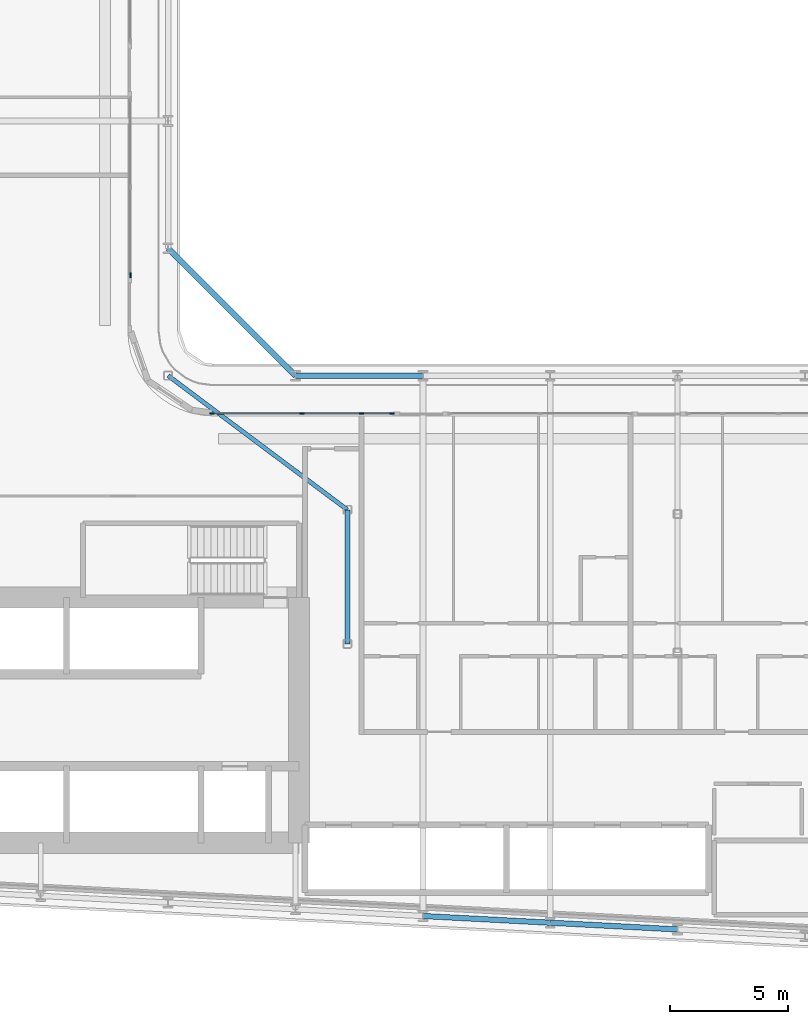
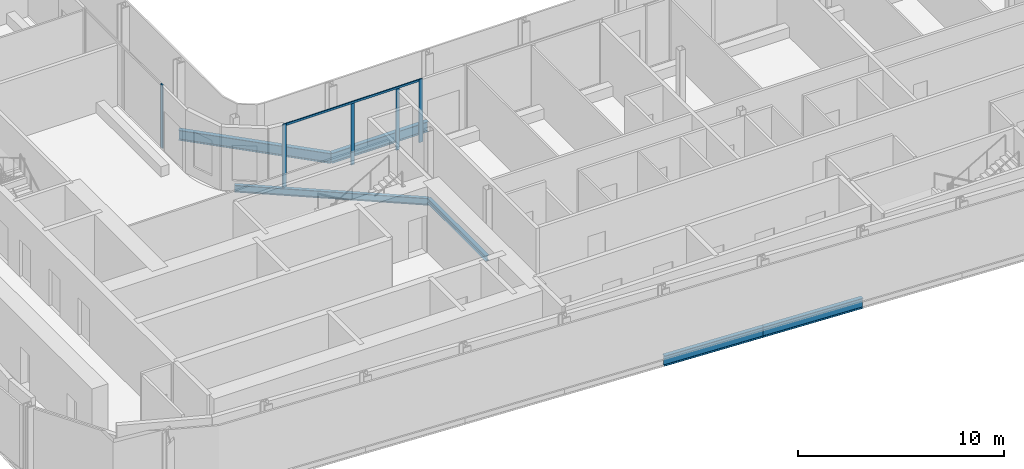
# One storey, part 4 of 28: 6 beams, 6 members, 2 elements without a shape of their own.
"""IFC4 building model written with IfcOpenShell, lengths in metres."""

from ifc_helpers import new_model, si_unit, direction, frame, origin, origin_2d, place, context, subcontext, project, spatial, rectangle, i_section, extrude, material, layer, layer_set, material_profile, profile_set, type_object, element, aggregate, save


model = new_model("IFC4")

# Units and contexts
model_context = context("Model", 3, precision=1e-05, world=origin(), true_north=direction((0.0, 1.0)))
body_context = subcontext(model_context, "Body", "Model", "MODEL_VIEW")
ifc_project = project(units=[si_unit("LENGTHUNIT", "METRE"), si_unit("AREAUNIT", "SQUARE_METRE"), si_unit("VOLUMEUNIT", "CUBIC_METRE"), si_unit("PLANEANGLEUNIT", "RADIAN"), si_unit("MASSUNIT", "GRAM", prefix="KILO")], contexts=[model_context])

# Site, building, storey
site_placement = place(None, origin())
site = spatial("IfcSite", under=ifc_project, at=site_placement, CompositionType="ELEMENT")
building_placement = place(site_placement, origin())
building = spatial("IfcBuilding", under=site, at=building_placement, Name="Kheshtan School and Residences Tower", CompositionType="ELEMENT")
storey_placement = place(building_placement, frame((0.0, 0.0, 94.10009765625)))
storey = spatial("IfcBuildingStorey", under=building, at=storey_placement, Name="L21", CompositionType="ELEMENT", Elevation=94.10009765625)

# Beams
ifc_material_1 = material(Name="Steel ASTM A992 Grade 50", Category="steel")
ifc_material_profile_1 = material_profile(ifc_material_1, i_section(OverallWidth=0.202880859375, OverallDepth=0.302978515625, WebThickness=0.007568359375, FlangeThickness=0.01318359375, FilletRadius=0.009033203125, at=origin_2d()), Name="W310x60")
ifc_profile_set_1 = profile_set([ifc_material_profile_1], Name="Steel ASTM A992 Grade 50")
beam_type_1 = type_object("IfcBeamType", Name="Beam FB1 W310x60 ASTM A992 Grade 50", PredefinedType="BEAM", material=ifc_profile_set_1)
beam_1_placement = place(storey_placement, frame((55.199951171875, 34.23193359375, -0.301513671875), z_axis=(0.0, 1.0, 0.0), x_axis=(-1.0, 0.0, 0.0)))
element("IfcBeam", 1, at=beam_1_placement, inside=storey, type_object=beam_type_1, Name="Floor beam IC", PredefinedType="BEAM", context=body_context, shape_type="SweptSolid", body=[
    extrude(i_section(OverallWidth=0.202880859375, OverallDepth=0.302978515625, WebThickness=0.007568359375, FlangeThickness=0.01318359375, FilletRadius=0.009033203125, at=origin_2d()), origin(), (0.0, 0.0, 1.0), 5.68408203125),
])
ifc_material_profile_2 = material_profile(ifc_material_1, i_section(OverallWidth=0.180908203125, OverallDepth=0.4169921875, WebThickness=0.010986328125, FlangeThickness=0.018310546875, FilletRadius=0.012451171875, at=origin_2d()), Name="W410x85")
ifc_profile_set_2 = profile_set([ifc_material_profile_2], Name="Steel ASTM A992 Grade 50")
beam_type_2 = type_object("IfcBeamType", Name="Beam FB3 W410x85 ASTM A992 Grade 50", PredefinedType="BEAM", material=ifc_profile_set_2)
beam_2_placement = place(storey_placement, frame((47.60009765625, 45.60009765625, -0.358642578125), z_axis=(0.800798828004, -0.598933416222, 0.0), x_axis=(0.598933416222, 0.800798828004, 0.0)))
element("IfcBeam", 2, at=beam_2_placement, inside=storey, type_object=beam_type_2, Name="Floor beam IC", PredefinedType="BEAM", context=body_context, shape_type="SweptSolid", body=[
    extrude(i_section(OverallWidth=0.180908203125, OverallDepth=0.4169921875, WebThickness=0.010986328125, FlangeThickness=0.018310546875, FilletRadius=0.012451171875, at=origin_2d()), origin(), (0.0, 0.0, 1.0), 9.490234375),
])
ifc_material_profile_3 = material_profile(ifc_material_1, i_section(OverallWidth=0.22802734375, OverallDepth=0.60302734375, WebThickness=0.010498046875, FlangeThickness=0.014892578125, FilletRadius=0.013427734375, at=origin_2d()), Name="W610x101")
ifc_profile_set_3 = profile_set([ifc_material_profile_3], Name="Steel ASTM A992 Grade 50")
beam_type_3 = type_object("IfcBeamType", Name="Beam SP2 W610x101 ASTM A992 Grade 50", PredefinedType="BEAM", material=ifc_profile_set_3)
beam_3_placement = place(storey_placement, frame((47.60009765625, 51.0, -0.45166015625), z_axis=(0.707106781187, -0.707106781187, 0.0), x_axis=(0.707106781187, 0.707106781187, 0.0)))
element("IfcBeam", 3, at=beam_3_placement, inside=storey, type_object=beam_type_3, Name="Spandrel beam C079-C061", PredefinedType="BEAM", context=body_context, shape_type="SweptSolid", body=[
    extrude(i_section(OverallWidth=0.22802734375, OverallDepth=0.60302734375, WebThickness=0.010498046875, FlangeThickness=0.014892578125, FilletRadius=0.013427734375, at=origin_2d()), origin(), (0.0, 0.0, 1.0), 7.63671875),
])
beam_4_placement = place(storey_placement, frame((53.0, 45.60009765625, -0.45166015625), z_axis=(1.0, 0.0, 0.0), x_axis=(0.0, 1.0, 0.0)))
element("IfcBeam", 4, at=beam_4_placement, inside=storey, type_object=beam_type_3, Name="Spandrel beam C061-C062", PredefinedType="BEAM", context=body_context, shape_type="SweptSolid", body=[
    extrude(i_section(OverallWidth=0.22802734375, OverallDepth=0.60302734375, WebThickness=0.010498046875, FlangeThickness=0.014892578125, FilletRadius=0.013427734375, at=origin_2d()), origin(), (0.0, 0.0, 1.0), 5.39990234375),
])
beam_5_placement = place(storey_placement, frame((69.199951171875, 22.126953125, -0.45166015625), z_axis=(-0.998620447272, 0.05250906864, 0.0), x_axis=(-0.05250906864, -0.998620447272, 0.0)))
element("IfcBeam", 5, at=beam_5_placement, inside=storey, type_object=beam_type_3, Name="Spandrel beam C014-C016", PredefinedType="BEAM", context=body_context, shape_type="SweptSolid", body=[
    extrude(i_section(OverallWidth=0.22802734375, OverallDepth=0.60302734375, WebThickness=0.010498046875, FlangeThickness=0.014892578125, FilletRadius=0.013427734375, at=origin_2d()), origin(), (0.0, 0.0, 1.0), 5.407470703125),
])
beam_6_placement = place(storey_placement, frame((63.800048828125, 22.410888671875, -0.45166015625), z_axis=(-0.998618203458, 0.052551724256, 0.0), x_axis=(-0.052551724256, -0.998618203458, 0.0)))
element("IfcBeam", 6, at=beam_6_placement, inside=storey, type_object=beam_type_3, Name="Spandrel beam C016-C018", PredefinedType="BEAM", context=body_context, shape_type="SweptSolid", body=[
    extrude(i_section(OverallWidth=0.22802734375, OverallDepth=0.60302734375, WebThickness=0.010498046875, FlangeThickness=0.014892578125, FilletRadius=0.013427734375, at=origin_2d()), origin(), (0.0, 0.0, 1.0), 5.40771484375),
])

# Curtain wall, member
ifc_material_2 = material(Name="Clear low-e glass in thermally broken aluminium frame", Category="aluminium")
ifc_layer = layer(ifc_material_2, 0.199951171875)
ifc_layer_set = layer_set([ifc_layer], Name="Curtain wall CW-L")
curtain_wall_type = type_object("IfcCurtainWallType", Name="Curtain wall CW-L", PredefinedType="NOTDEFINED", material=ifc_layer_set)
curtain_wall_1_placement = place(storey_placement, origin())
curtain_wall_1 = element("IfcCurtainWall", 7, at=curtain_wall_1_placement, inside=storey, type_object=curtain_wall_type, Name="Curtain wall CWL4a", PredefinedType="NOTDEFINED")
ifc_material_3 = material(Name="Thermally broken aluminium, dark bronze anodised", Category="aluminium")
ifc_material_profile_4 = material_profile(ifc_material_3, rectangle(XDim=0.06005859375, YDim=0.199951171875, at=origin_2d()), Name="CW-L mullion 60x200")
ifc_profile_set_4 = profile_set([ifc_material_profile_4], Name="Thermally broken aluminium, dark bronze anodised")
member_type_1 = type_object("IfcMemberType", Name="CW-L mullion 60x200", PredefinedType="MULLION", material=ifc_profile_set_4)
member_1_placement = place(storey_placement, frame((46.0, 49.860107421875, 0.0), z_axis=(0.0, 0.0, 1.0), x_axis=(1.0, 0.0, 0.0)))
member_1 = element("IfcMember", 8, at=member_1_placement, type_object=member_type_1, Name="CWL4a mullion 3", PredefinedType="MULLION", context=body_context, shape_type="SweptSolid", body=[
    extrude(rectangle(XDim=0.06005859375, YDim=0.199951171875, at=origin_2d()), origin(), (0.0, 0.0, 1.0), 3.75),
])
aggregate(curtain_wall_1, [member_1])

# Curtain wall, members
curtain_wall_2_placement = place(storey_placement, origin())
curtain_wall_2 = element("IfcCurtainWall", 9, at=curtain_wall_2_placement, inside=storey, type_object=curtain_wall_type, Name="Curtain wall CWL8c", PredefinedType="NOTDEFINED")
member_2_placement = place(storey_placement, frame((49.4599609375, 44.0, 0.0), z_axis=(0.0, 0.0, 1.0), x_axis=(0.0, 1.0, 0.0)))
member_2 = element("IfcMember", 10, at=member_2_placement, type_object=member_type_1, Name="CWL8c mullion 1", PredefinedType="MULLION", context=body_context, shape_type="SweptSolid", body=[
    extrude(rectangle(XDim=0.06005859375, YDim=0.199951171875, at=origin_2d()), origin(), (0.0, 0.0, 1.0), 3.75),
])
member_3_placement = place(storey_placement, frame((53.277099609375, 44.0, 0.0), z_axis=(0.0, 0.0, 1.0), x_axis=(0.0, 1.0, 0.0)))
member_3 = element("IfcMember", 11, at=member_3_placement, type_object=member_type_1, Name="CWL8c mullion 2", PredefinedType="MULLION", context=body_context, shape_type="SweptSolid", body=[
    extrude(rectangle(XDim=0.06005859375, YDim=0.199951171875, at=origin_2d()), origin(), (0.0, 0.0, 1.0), 3.6298828125),
])
member_4_placement = place(storey_placement, frame((55.800048828125, 44.0, 0.0), z_axis=(0.0, 0.0, 1.0), x_axis=(0.0, 1.0, 0.0)))
member_4 = element("IfcMember", 12, at=member_4_placement, type_object=member_type_1, Name="CWL8c mullion 3", PredefinedType="MULLION", context=body_context, shape_type="SweptSolid", body=[
    extrude(rectangle(XDim=0.06005859375, YDim=0.199951171875, at=origin_2d()), origin(), (0.0, 0.0, 1.0), 3.6298828125),
])
member_5_placement = place(storey_placement, frame((57.093994140625, 44.0, 0.0), z_axis=(0.0, 0.0, 1.0), x_axis=(0.0, 1.0, 0.0)))
member_5 = element("IfcMember", 13, at=member_5_placement, type_object=member_type_1, Name="CWL8c mullion 4", PredefinedType="MULLION", context=body_context, shape_type="SweptSolid", body=[
    extrude(rectangle(XDim=0.06005859375, YDim=0.199951171875, at=origin_2d()), origin(), (0.0, 0.0, 1.0), 3.75),
])
ifc_material_profile_5 = material_profile(ifc_material_3, rectangle(XDim=0.06005859375, YDim=0.1201171875, at=origin_2d()), Name="CW-L transom 60x120")
ifc_profile_set_5 = profile_set([ifc_material_profile_5], Name="Thermally broken aluminium, dark bronze anodised")
member_type_2 = type_object("IfcMemberType", Name="CW-L transom 60x120", PredefinedType="USERDEFINED", material=ifc_profile_set_5)
member_6_placement = place(storey_placement, frame((49.489990234375, 44.0, 3.68994140625), z_axis=(1.0, 0.0, 0.0), x_axis=(0.0, 1.0, 0.0)))
member_6 = element("IfcMember", 14, at=member_6_placement, type_object=member_type_2, Name="CWL8c transom 1", ObjectType="TRANSOM", PredefinedType="USERDEFINED", context=body_context, shape_type="SweptSolid", body=[
    extrude(rectangle(XDim=0.06005859375, YDim=0.1201171875, at=origin_2d()), origin(), (0.0, 0.0, 1.0), 7.573974609375),
])
aggregate(curtain_wall_2, [member_2, member_3, member_4, member_5, member_6])

save(model, "model.ifc")
